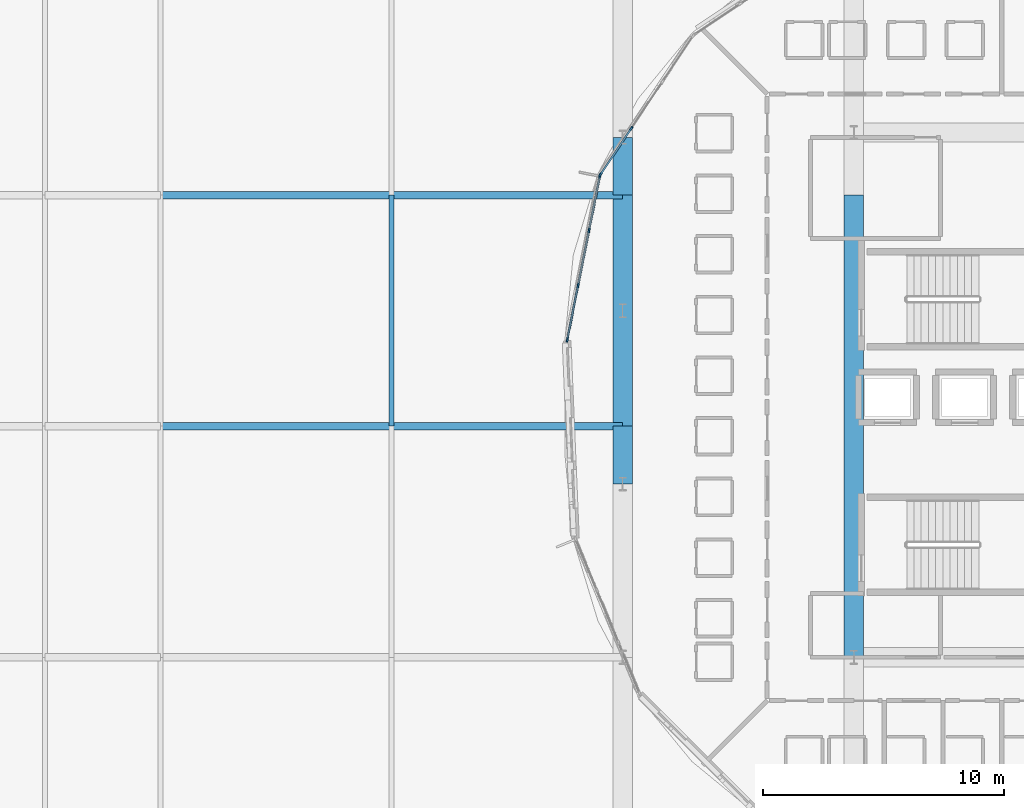
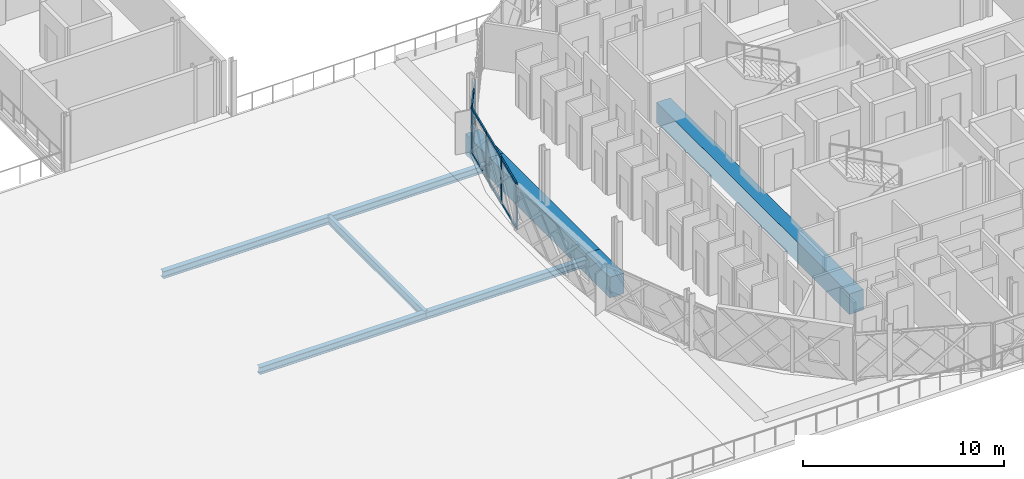
# One storey, part 11 of 53: 15 members, 9 beams, 2 elements without a shape of their own.
"""IFC4 building model written with IfcOpenShell, lengths in metres."""

from ifc_helpers import new_model, si_unit, direction, frame, origin, origin_2d, place, context, subcontext, project, spatial, rectangle, i_section, extrude, material, layer, layer_set, material_profile, profile_set, type_object, element, aggregate, save


model = new_model("IFC4")

# Units and contexts
model_context = context("Model", 3, precision=1e-05, world=origin(), true_north=direction((0.0, 1.0)))
body_context = subcontext(model_context, "Body", "Model", "MODEL_VIEW")
ifc_project = project(units=[si_unit("LENGTHUNIT", "METRE"), si_unit("AREAUNIT", "SQUARE_METRE"), si_unit("VOLUMEUNIT", "CUBIC_METRE"), si_unit("PLANEANGLEUNIT", "RADIAN"), si_unit("MASSUNIT", "GRAM", prefix="KILO")], contexts=[model_context])

# Site, building, storey
site_placement = place(None, origin())
site = spatial("IfcSite", under=ifc_project, at=site_placement, CompositionType="ELEMENT")
building_placement = place(site_placement, origin())
building = spatial("IfcBuilding", under=site, at=building_placement, Name="Zevrakil Square Congress Hotel", CompositionType="ELEMENT")
storey_placement = place(building_placement, frame((0.0, 0.0, 14.699951171875)))
storey = spatial("IfcBuildingStorey", under=building, at=storey_placement, Name="L04", CompositionType="ELEMENT", Elevation=14.699951171875)

# Beams
ifc_material_1 = material(Name="Steel S355", Category="steel")
ifc_material_profile_1 = material_profile(ifc_material_1, i_section(OverallWidth=0.300048828125, OverallDepth=0.43994140625, WebThickness=0.011474609375, FlangeThickness=0.02099609375, FilletRadius=0.027099609375, at=origin_2d()), Name="HEA 450")
ifc_profile_set_1 = profile_set([ifc_material_profile_1], Name="Steel S355")
beam_type_1 = type_object("IfcBeamType", Name="BM-HEA450", PredefinedType="BEAM", material=ifc_profile_set_1)
beam_1_placement = place(storey_placement, frame((108.0, 26.39990234375, -0.47998046875), z_axis=(1.0, 0.0, 0.0), x_axis=(0.0, 1.0, 0.0)))
element("IfcBeam", 1, at=beam_1_placement, inside=storey, type_object=beam_type_1, Name="L04 primary girder BX-1213", PredefinedType="BEAM", context=body_context, shape_type="SweptSolid", body=[
    extrude(i_section(OverallWidth=0.300048828125, OverallDepth=0.43994140625, WebThickness=0.011474609375, FlangeThickness=0.02099609375, FilletRadius=0.027099609375, at=origin_2d()), origin(), (0.0, 0.0, 1.0), 9.60009765625),
])
beam_2_placement = place(storey_placement, frame((117.60009765625, 26.39990234375, -0.47998046875), z_axis=(1.0, 0.0, 0.0), x_axis=(0.0, 1.0, 0.0)))
element("IfcBeam", 2, at=beam_2_placement, inside=storey, type_object=beam_type_1, Name="L04 primary girder BX-1214", PredefinedType="BEAM", context=body_context, shape_type="SweptSolid", body=[
    extrude(i_section(OverallWidth=0.300048828125, OverallDepth=0.43994140625, WebThickness=0.011474609375, FlangeThickness=0.02099609375, FilletRadius=0.027099609375, at=origin_2d()), origin(), (0.0, 0.0, 1.0), 9.599853515625),
])
beam_3_placement = place(storey_placement, frame((108.0, 36.0, -0.47998046875), z_axis=(1.0, 0.0, 0.0), x_axis=(0.0, 1.0, 0.0)))
element("IfcBeam", 3, at=beam_3_placement, inside=storey, type_object=beam_type_1, Name="L04 primary girder BX-1221", PredefinedType="BEAM", context=body_context, shape_type="SweptSolid", body=[
    extrude(i_section(OverallWidth=0.300048828125, OverallDepth=0.43994140625, WebThickness=0.011474609375, FlangeThickness=0.02099609375, FilletRadius=0.027099609375, at=origin_2d()), origin(), (0.0, 0.0, 1.0), 9.60009765625),
])
beam_4_placement = place(storey_placement, frame((117.60009765625, 36.0, -0.47998046875), z_axis=(1.0, 0.0, 0.0), x_axis=(0.0, 1.0, 0.0)))
element("IfcBeam", 4, at=beam_4_placement, inside=storey, type_object=beam_type_1, Name="L04 primary girder BX-1222", PredefinedType="BEAM", context=body_context, shape_type="SweptSolid", body=[
    extrude(i_section(OverallWidth=0.300048828125, OverallDepth=0.43994140625, WebThickness=0.011474609375, FlangeThickness=0.02099609375, FilletRadius=0.027099609375, at=origin_2d()), origin(), (0.0, 0.0, 1.0), 9.599853515625),
])
ifc_material_2 = material(Name="Steel S355", Category="steel")
ifc_material_profile_2 = material_profile(ifc_material_2, i_section(OverallWidth=0.199951171875, OverallDepth=0.5, WebThickness=0.01025390625, FlangeThickness=0.01611328125, FilletRadius=0.02099609375, at=origin_2d()), Name="IPE 500")
ifc_profile_set_2 = profile_set([ifc_material_profile_2], Name="Steel S355")
beam_type_2 = type_object("IfcBeamType", Name="BM-IPE500", PredefinedType="BEAM", material=ifc_profile_set_2)
beam_5_placement = place(storey_placement, frame((117.60009765625, 26.39990234375, -0.510009765625), z_axis=(0.0, 1.0, 0.0), x_axis=(-1.0, 0.0, 0.0)))
element("IfcBeam", 5, at=beam_5_placement, inside=storey, type_object=beam_type_2, Name="L04 primary girder BY-1343", PredefinedType="BEAM", context=body_context, shape_type="SweptSolid", body=[
    extrude(i_section(OverallWidth=0.199951171875, OverallDepth=0.5, WebThickness=0.01025390625, FlangeThickness=0.01611328125, FilletRadius=0.02099609375, at=origin_2d()), origin(), (0.0, 0.0, 1.0), 9.60009765625),
])
ifc_material_3 = material(Name="Concrete C40/50", Category="concrete")
ifc_material_profile_3 = material_profile(ifc_material_3, rectangle(XDim=0.800048828125, YDim=1.25, at=origin_2d()), Name="RC 800x1250")
ifc_profile_set_3 = profile_set([ifc_material_profile_3], Name="Concrete C40/50")
beam_type_3 = type_object("IfcBeamType", Name="BM-RC800x1250", PredefinedType="BEAM", material=ifc_profile_set_3)
beam_6_placement = place(storey_placement, frame((127.199951171875, 24.0, -0.625), z_axis=(0.0, 1.0, 0.0), x_axis=(-1.0, 0.0, 0.0)))
element("IfcBeam", 6, at=beam_6_placement, inside=storey, type_object=beam_type_3, Name="L04 drum transfer girder TB-013", PredefinedType="BEAM", context=body_context, shape_type="SweptSolid", body=[
    extrude(rectangle(XDim=0.800048828125, YDim=1.25, at=origin_2d()), origin(), (0.0, 0.0, 1.0), 2.39990234375),
])
beam_7_placement = place(storey_placement, frame((127.199951171875, 26.39990234375, -0.625), z_axis=(0.0, 1.0, 0.0), x_axis=(-1.0, 0.0, 0.0)))
element("IfcBeam", 7, at=beam_7_placement, inside=storey, type_object=beam_type_3, Name="L04 drum transfer girder TB-014", PredefinedType="BEAM", context=body_context, shape_type="SweptSolid", body=[
    extrude(rectangle(XDim=0.800048828125, YDim=1.25, at=origin_2d()), origin(), (0.0, 0.0, 1.0), 9.60009765625),
])
beam_8_placement = place(storey_placement, frame((127.199951171875, 36.0, -0.625), z_axis=(0.0, 1.0, 0.0), x_axis=(-1.0, 0.0, 0.0)))
element("IfcBeam", 8, at=beam_8_placement, inside=storey, type_object=beam_type_3, Name="L04 drum transfer girder TB-015", PredefinedType="BEAM", context=body_context, shape_type="SweptSolid", body=[
    extrude(rectangle(XDim=0.800048828125, YDim=1.25, at=origin_2d()), origin(), (0.0, 0.0, 1.0), 2.39990234375),
])
beam_9_placement = place(storey_placement, frame((136.800048828125, 16.800048828125, -0.625), z_axis=(0.0, 1.0, 0.0), x_axis=(-1.0, 0.0, 0.0)))
element("IfcBeam", 9, at=beam_9_placement, inside=storey, type_object=beam_type_3, Name="L04 drum transfer girder TB-025", PredefinedType="BEAM", context=body_context, shape_type="SweptSolid", body=[
    extrude(rectangle(XDim=0.800048828125, YDim=1.25, at=origin_2d()), origin(), (0.0, 0.0, 1.0), 19.199951171875),
])

# Curtain wall, members
ifc_material_4 = material(Name="Aluminium Anodised Bronze", Category="aluminium")
ifc_layer = layer(ifc_material_4, 0.179931640625)
ifc_layer_set = layer_set([ifc_layer], Name="Aluminium Anodised Bronze")
curtain_wall_type = type_object("IfcCurtainWallType", Name="CW-L04-720", PredefinedType="USERDEFINED", material=ifc_layer_set)
curtain_wall_1_placement = place(storey_placement, origin())
curtain_wall_1 = element("IfcCurtainWall", 10, at=curtain_wall_1_placement, inside=storey, type_object=curtain_wall_type, Name="L04 diamond curtain wall CW-L04-0178", ObjectType="GLAZED CURTAIN WALL", PredefinedType="USERDEFINED")
ifc_material_5 = material(Name="Aluminium Anodised Bronze", Category="aluminium")
ifc_material_profile_4 = material_profile(ifc_material_5, rectangle(XDim=0.074951171875, YDim=0.14990234375, at=origin_2d()), Name="ALU 75x150")
ifc_profile_set_4 = profile_set([ifc_material_profile_4], Name="Aluminium Anodised Bronze")
member_type_1 = type_object("IfcMemberType", Name="CWM-ALU75x150", PredefinedType="USERDEFINED", material=ifc_profile_set_4)
member_1_placement = place(storey_placement, frame((127.537353515625, 38.742919921875, 0.030029296875), z_axis=(-0.555527981667, -0.831497842201, 0.0), x_axis=(0.831497842201, -0.555527981667, 0.0)))
member_1 = element("IfcMember", 11, at=member_1_placement, type_object=member_type_1, Name="CW-46 transom 3.1", ObjectType="TRANSOM", PredefinedType="USERDEFINED", context=body_context, shape_type="SweptSolid", body=[
    extrude(rectangle(XDim=0.074951171875, YDim=0.14990234375, at=origin_2d()), origin(), (0.0, 0.0, 1.0), 2.245361328125),
])
member_2_placement = place(storey_placement, frame((127.537353515625, 38.742919921875, 1.1591796875), z_axis=(-0.555527981667, -0.831497842201, 0.0), x_axis=(0.831497842201, -0.555527981667, 0.0)))
member_2 = element("IfcMember", 12, at=member_2_placement, type_object=member_type_1, Name="CW-46 transom 3.2", ObjectType="TRANSOM", PredefinedType="USERDEFINED", context=body_context, shape_type="SweptSolid", body=[
    extrude(rectangle(XDim=0.074951171875, YDim=0.14990234375, at=origin_2d()), origin(), (0.0, 0.0, 1.0), 2.245361328125),
])
member_3_placement = place(storey_placement, frame((127.537353515625, 38.742919921875, 2.72998046875), z_axis=(-0.555527981667, -0.831497842201, 0.0), x_axis=(0.831497842201, -0.555527981667, 0.0)))
member_3 = element("IfcMember", 13, at=member_3_placement, type_object=member_type_1, Name="CW-46 transom 3.3", ObjectType="TRANSOM", PredefinedType="USERDEFINED", context=body_context, shape_type="SweptSolid", body=[
    extrude(rectangle(XDim=0.074951171875, YDim=0.14990234375, at=origin_2d()), origin(), (0.0, 0.0, 1.0), 2.245361328125),
])

curtain_wall_2_placement = place(storey_placement, origin())
curtain_wall_2 = element("IfcCurtainWall", 14, at=curtain_wall_2_placement, inside=storey, type_object=curtain_wall_type, Name="L04 diamond curtain wall CW-L04-0179", ObjectType="GLAZED CURTAIN WALL", PredefinedType="USERDEFINED")
member_4_placement = place(storey_placement, frame((126.244873046875, 36.767333984375, 0.030029296875), z_axis=(-0.195070495322, -0.98078922397, 0.0), x_axis=(0.98078922397, -0.195070495322, 0.0)))
member_4 = element("IfcMember", 15, at=member_4_placement, type_object=member_type_1, Name="CW-46 transom 1.1", ObjectType="TRANSOM", PredefinedType="USERDEFINED", context=body_context, shape_type="SweptSolid", body=[
    extrude(rectangle(XDim=0.074951171875, YDim=0.14990234375, at=origin_2d()), origin(), (0.0, 0.0, 1.0), 2.245361328125),
])
member_5_placement = place(storey_placement, frame((126.244873046875, 36.767333984375, 2.719970703125), z_axis=(-0.195070495322, -0.98078922397, 0.0), x_axis=(0.98078922397, -0.195070495322, 0.0)))
member_5 = element("IfcMember", 16, at=member_5_placement, type_object=member_type_1, Name="CW-46 transom 1.2", ObjectType="TRANSOM", PredefinedType="USERDEFINED", context=body_context, shape_type="SweptSolid", body=[
    extrude(rectangle(XDim=0.074951171875, YDim=0.14990234375, at=origin_2d()), origin(), (0.0, 0.0, 1.0), 2.245361328125),
])
member_6_placement = place(storey_placement, frame((125.795166015625, 34.50634765625, 0.030029296875), z_axis=(-0.195084227953, -0.980786492568, 0.0), x_axis=(0.980786492568, -0.195084227953, 0.0)))
member_6 = element("IfcMember", 17, at=member_6_placement, type_object=member_type_1, Name="CW-46 transom 2.1", ObjectType="TRANSOM", PredefinedType="USERDEFINED", context=body_context, shape_type="SweptSolid", body=[
    extrude(rectangle(XDim=0.074951171875, YDim=0.14990234375, at=origin_2d()), origin(), (0.0, 0.0, 1.0), 2.275146484375),
])
member_7_placement = place(storey_placement, frame((125.795166015625, 34.50634765625, 2.719970703125), z_axis=(-0.195084227953, -0.980786492568, 0.0), x_axis=(0.980786492568, -0.195084227953, 0.0)))
member_7 = element("IfcMember", 18, at=member_7_placement, type_object=member_type_1, Name="CW-46 transom 2.2", ObjectType="TRANSOM", PredefinedType="USERDEFINED", context=body_context, shape_type="SweptSolid", body=[
    extrude(rectangle(XDim=0.074951171875, YDim=0.14990234375, at=origin_2d()), origin(), (0.0, 0.0, 1.0), 2.275146484375),
])
member_8_placement = place(storey_placement, frame((125.339599609375, 32.216064453125, 0.030029296875), z_axis=(-0.195070495322, -0.98078922397, 0.0), x_axis=(0.98078922397, -0.195070495322, 0.0)))
member_8 = element("IfcMember", 19, at=member_8_placement, type_object=member_type_1, Name="CW-46 transom 3.1", ObjectType="TRANSOM", PredefinedType="USERDEFINED", context=body_context, shape_type="SweptSolid", body=[
    extrude(rectangle(XDim=0.074951171875, YDim=0.14990234375, at=origin_2d()), origin(), (0.0, 0.0, 1.0), 2.245361328125),
])
member_9_placement = place(storey_placement, frame((125.339599609375, 32.216064453125, 2.719970703125), z_axis=(-0.195070495322, -0.98078922397, 0.0), x_axis=(0.98078922397, -0.195070495322, 0.0)))
member_9 = element("IfcMember", 20, at=member_9_placement, type_object=member_type_1, Name="CW-46 transom 3.2", ObjectType="TRANSOM", PredefinedType="USERDEFINED", context=body_context, shape_type="SweptSolid", body=[
    extrude(rectangle(XDim=0.074951171875, YDim=0.14990234375, at=origin_2d()), origin(), (0.0, 0.0, 1.0), 2.245361328125),
])

# Member
ifc_material_6 = material(Name="Aluminium Anodised Bronze", Category="aluminium")
ifc_material_profile_5 = material_profile(ifc_material_6, rectangle(XDim=0.074951171875, YDim=0.179931640625, at=origin_2d()), Name="ALU 75x180")
ifc_profile_set_5 = profile_set([ifc_material_profile_5], Name="Aluminium Anodised Bronze")
member_type_2 = type_object("IfcMemberType", Name="CWM-ALU75x180", PredefinedType="MULLION", material=ifc_profile_set_5)
member_10_placement = place(storey_placement, frame((127.55419921875, 38.767822265625, 0.0), z_axis=(0.0, 0.0, 1.0), x_axis=(0.831465693332, -0.555576098128, 0.0)))
member_10 = element("IfcMember", 21, at=member_10_placement, type_object=member_type_2, Name="CW-46 mullion 3", PredefinedType="MULLION", context=body_context, shape_type="SweptSolid", body=[
    extrude(rectangle(XDim=0.074951171875, YDim=0.179931640625, at=origin_2d()), origin(), (0.0, 0.0, 1.0), 2.760009765625),
])

member_11_placement = place(storey_placement, frame((126.2734375, 36.85107421875, 0.0), z_axis=(0.0, 0.0, 1.0), x_axis=(0.831465693332, -0.555576098128, 0.0)))
member_11 = element("IfcMember", 22, at=member_11_placement, type_object=member_type_2, Name="CW-46 mullion 4", PredefinedType="MULLION", context=body_context, shape_type="SweptSolid", body=[
    extrude(rectangle(XDim=0.074951171875, YDim=0.179931640625, at=origin_2d()), origin(), (0.0, 0.0, 1.0), 2.760009765625),
])

aggregate(curtain_wall_1, [member_10, member_11, member_1, member_2, member_3])

member_12_placement = place(storey_placement, frame((126.250732421875, 36.796630859375, 0.0), z_axis=(0.0, 0.0, 1.0), x_axis=(0.980786557708, -0.195083900459, 0.0)))
member_12 = element("IfcMember", 23, at=member_12_placement, type_object=member_type_2, Name="CW-46 mullion 1", PredefinedType="MULLION", context=body_context, shape_type="SweptSolid", body=[
    extrude(rectangle(XDim=0.074951171875, YDim=0.179931640625, at=origin_2d()), origin(), (0.0, 0.0, 1.0), 2.75),
])

member_13_placement = place(storey_placement, frame((125.801025390625, 34.53564453125, 0.0), z_axis=(0.0, 0.0, 1.0), x_axis=(0.980786557708, -0.195083900459, 0.0)))
member_13 = element("IfcMember", 24, at=member_13_placement, type_object=member_type_2, Name="CW-46 mullion 2", PredefinedType="MULLION", context=body_context, shape_type="SweptSolid", body=[
    extrude(rectangle(XDim=0.074951171875, YDim=0.179931640625, at=origin_2d()), origin(), (0.0, 0.0, 1.0), 2.75),
])

member_14_placement = place(storey_placement, frame((125.345458984375, 32.245361328125, 0.0), z_axis=(0.0, 0.0, 1.0), x_axis=(0.980786557708, -0.195083900459, 0.0)))
member_14 = element("IfcMember", 25, at=member_14_placement, type_object=member_type_2, Name="CW-46 mullion 3", PredefinedType="MULLION", context=body_context, shape_type="SweptSolid", body=[
    extrude(rectangle(XDim=0.074951171875, YDim=0.179931640625, at=origin_2d()), origin(), (0.0, 0.0, 1.0), 2.75),
])

member_15_placement = place(storey_placement, frame((124.895751953125, 29.984375, 0.0), z_axis=(0.0, 0.0, 1.0), x_axis=(0.980786557708, -0.195083900459, 0.0)))
member_15 = element("IfcMember", 26, at=member_15_placement, type_object=member_type_2, Name="CW-46 mullion 4", PredefinedType="MULLION", context=body_context, shape_type="SweptSolid", body=[
    extrude(rectangle(XDim=0.074951171875, YDim=0.179931640625, at=origin_2d()), origin(), (0.0, 0.0, 1.0), 2.75),
])

aggregate(curtain_wall_2, [member_12, member_13, member_14, member_15, member_4, member_5, member_6, member_7, member_8, member_9])

save(model, "model.ifc")
